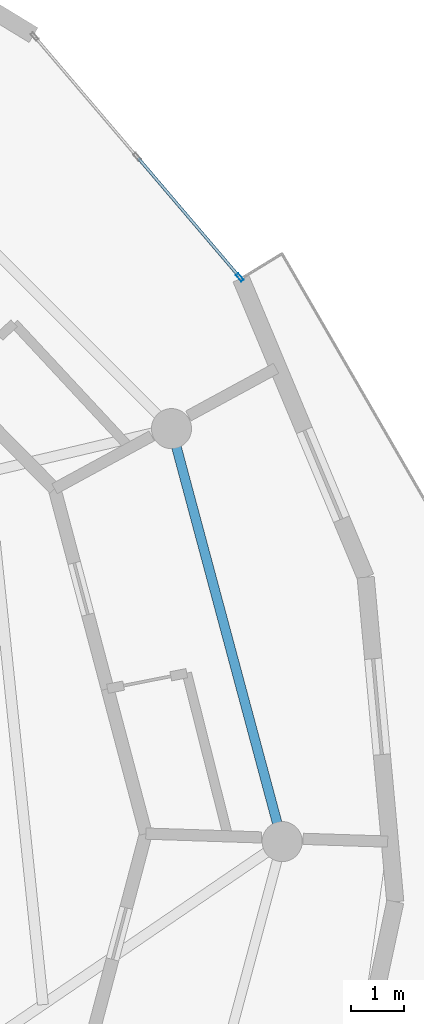
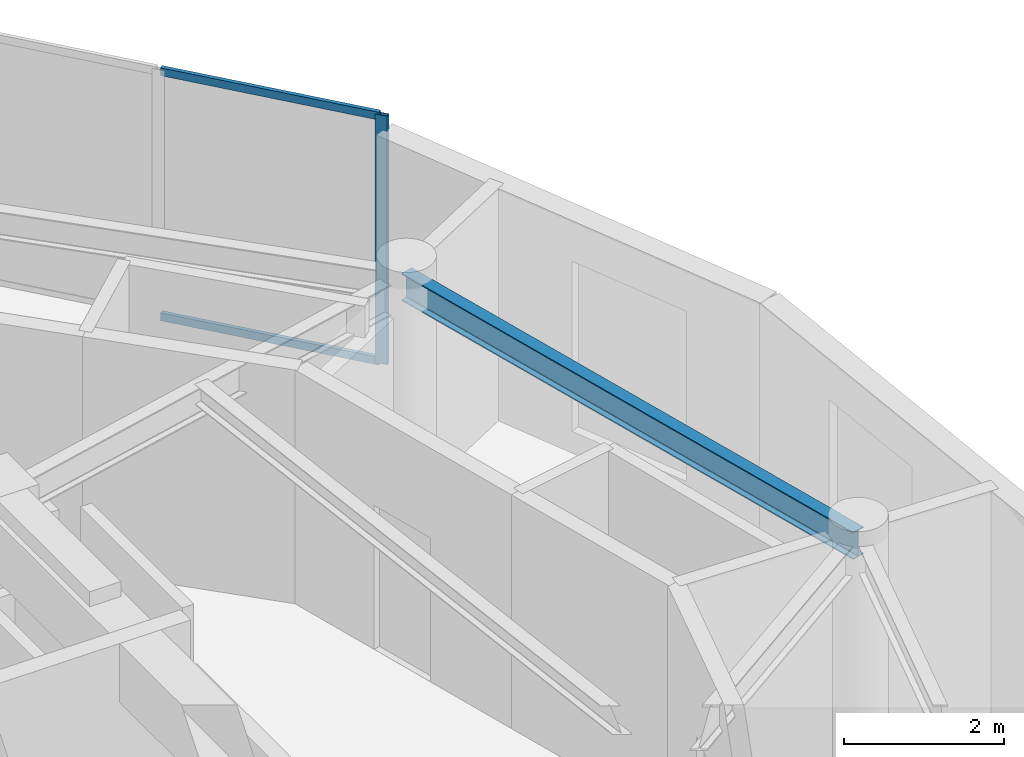
# One storey, part 12 of 22: 3 members, 1 beam, 1 element without a shape of its own.
"""IFC4 building model written with IfcOpenShell, lengths in metres."""

from ifc_helpers import new_model, si_unit, direction, frame, origin, origin_2d, place, context, subcontext, project, spatial, hollow_rectangle, i_section, extrude, source, transform, mapped, material, layer, layer_set, material_profile, profile_set, type_object, element, aggregate, save


model = new_model("IFC4")

# Units and contexts
model_context = context("Model", 3, precision=1e-05, world=origin(), true_north=direction((0.0, 1.0)))
body_context = subcontext(model_context, "Body", "Model", "MODEL_VIEW")
ifc_project = project(units=[si_unit("LENGTHUNIT", "METRE"), si_unit("AREAUNIT", "SQUARE_METRE"), si_unit("VOLUMEUNIT", "CUBIC_METRE"), si_unit("PLANEANGLEUNIT", "RADIAN"), si_unit("MASSUNIT", "GRAM", prefix="KILO")], contexts=[model_context])

# Site, building, storey
site_placement = place(None, origin())
site = spatial("IfcSite", under=ifc_project, at=site_placement, CompositionType="ELEMENT")
building_placement = place(site_placement, origin())
building = spatial("IfcBuilding", under=site, at=building_placement, Name="Solvirekh Grand Hotel", CompositionType="ELEMENT")
storey_placement = place(building_placement, frame((0.0, 0.0, 289.60009765625)))
storey = spatial("IfcBuildingStorey", under=building, at=storey_placement, Name="L75", CompositionType="ELEMENT", Elevation=289.60009765625)

# Beam
ifc_material_1 = material(Name="Steel S355", Category="steel")
ifc_material_profile_1 = material_profile(ifc_material_1, i_section(OverallWidth=0.180908203125, OverallDepth=0.4169921875, WebThickness=0.010009765625, FlangeThickness=0.01611328125, FilletRadius=0.011962890625, at=origin_2d()), Name="W410X85")
ifc_profile_set_1 = profile_set([ifc_material_profile_1], Name="Steel S355")
beam_type = type_object("IfcBeamType", Name="Spandrel_Ring_W410", PredefinedType="SPANDREL", material=ifc_profile_set_1)
beam_placement = place(storey_placement, frame((15.449951171875, 0.0, 3.36181640625), z_axis=(-0.258834757072, 0.965921616143, 0.0), x_axis=(-0.965921616143, -0.258834757072, 0.0)))
element("IfcBeam", 1, at=beam_placement, inside=storey, type_object=beam_type, Name="L75 perimeter spandrel beam 1", PredefinedType="SPANDREL", context=body_context, shape_type="SweptSolid", body=[
    extrude(i_section(OverallWidth=0.180908203125, OverallDepth=0.4169921875, WebThickness=0.010009765625, FlangeThickness=0.01611328125, FilletRadius=0.011962890625, at=origin_2d()), origin(), (0.0, 0.0, 1.0), 7.99755859375),
])

# Curtain wall, members
ifc_material_2 = material(Name="Anodized Bronze Aluminium 6063-T6", Category="aluminium")
ifc_layer = layer(ifc_material_2, 0.159912109375)
ifc_layer_set = layer_set([ifc_layer], Name="Anodized Bronze Aluminium 6063-T6")
curtain_wall_type = type_object("IfcCurtainWallType", Name="CW_Sys4_HighZoneFlushBronzeCW", PredefinedType="NOTDEFINED", material=ifc_layer_set)
curtain_wall_placement = place(storey_placement, origin())
curtain_wall = element("IfcCurtainWall", 2, at=curtain_wall_placement, inside=storey, type_object=curtain_wall_type, Name="L75 unitised bronze-glass curtain wall CW-L75-C08", PredefinedType="NOTDEFINED")
ifc_material_profile_2 = material_profile(ifc_material_2, hollow_rectangle(XDim=0.06005859375, YDim=0.159912109375, WallThickness=0.0048828125, at=origin_2d()), Name="ALU RHS 160X60X5")
ifc_profile_set_2 = profile_set([ifc_material_profile_2], Name="Anodized Bronze Aluminium 6063-T6")
member_type_1 = type_object("IfcMemberType", Name="CWMullion_Sys4", PredefinedType="MULLION", material=ifc_profile_set_2)
shared_shape_1 = source(origin(), body_context, "Body", "SweptSolid", [
    extrude(hollow_rectangle(XDim=0.06005859375, YDim=0.159912109375, WallThickness=0.0048828125, at=origin_2d()), origin(), (0.0, 0.0, 1.0), 3.7998046875),
])
member_1_placement = place(storey_placement, frame((14.659423828125, 10.553955078125, 0.0), z_axis=(0.0, 0.0, 1.0), x_axis=(-0.76117601134, -0.648545356749, 0.0)))
member_1 = element("IfcMember", 3, at=member_1_placement, type_object=member_type_1, Name="U04 mullion 1", PredefinedType="MULLION", context=body_context, shape_type="MappedRepresentation", body=[
    mapped(shared_shape_1, transform((0.0, 0.0, 0.0), x_axis=(1.0, 0.0, 0.0), y_axis=(0.0, 1.0, 0.0), z_axis=(0.0, 0.0, 1.0), scale=1.0)),
])
ifc_material_profile_3 = material_profile(ifc_material_2, hollow_rectangle(XDim=0.054931640625, YDim=0.1201171875, WallThickness=0.00390625, at=origin_2d()), Name="ALU RHS 120X55X4")
ifc_profile_set_3 = profile_set([ifc_material_profile_3], Name="Anodized Bronze Aluminium 6063-T6")
member_type_2 = type_object("IfcMemberType", Name="CWTransom_Sys4", PredefinedType="USERDEFINED", material=ifc_profile_set_3)
shared_shape_2 = source(origin(), body_context, "Body", "SweptSolid", [
    extrude(hollow_rectangle(XDim=0.054931640625, YDim=0.1201171875, WallThickness=0.00390625, at=origin_2d()), origin(), (0.0, 0.0, 1.0), 2.902099609375),
])
member_2_placement = place(storey_placement, frame((14.64013671875, 10.57666015625, 0.02734375), z_axis=(-0.648536870934, 0.761183241433, 0.0), x_axis=(-0.761183241433, -0.648536870934, 0.0)))
member_2 = element("IfcMember", 4, at=member_2_placement, type_object=member_type_2, Name="U04 transom 1.1", ObjectType="TRANSOM", PredefinedType="USERDEFINED", context=body_context, shape_type="MappedRepresentation", body=[
    mapped(shared_shape_2, transform((0.0, 0.0, 0.0), x_axis=(1.0, 0.0, 0.0), y_axis=(0.0, 1.0, 0.0), z_axis=(0.0, 0.0, 1.0), scale=1.0)),
])
member_3_placement = place(storey_placement, frame((14.64013671875, 10.57666015625, 3.7724609375), z_axis=(-0.648536870934, 0.761183241433, 0.0), x_axis=(-0.761183241433, -0.648536870934, 0.0)))
member_3 = element("IfcMember", 5, at=member_3_placement, type_object=member_type_2, Name="U04 transom 1.2", ObjectType="TRANSOM", PredefinedType="USERDEFINED", context=body_context, shape_type="MappedRepresentation", body=[
    mapped(shared_shape_2, transform((0.0, 0.0, 0.0), x_axis=(1.0, 0.0, 0.0), y_axis=(0.0, 1.0, 0.0), z_axis=(0.0, 0.0, 1.0), scale=1.0)),
])
aggregate(curtain_wall, [member_1, member_2, member_3])

save(model, "model.ifc")
